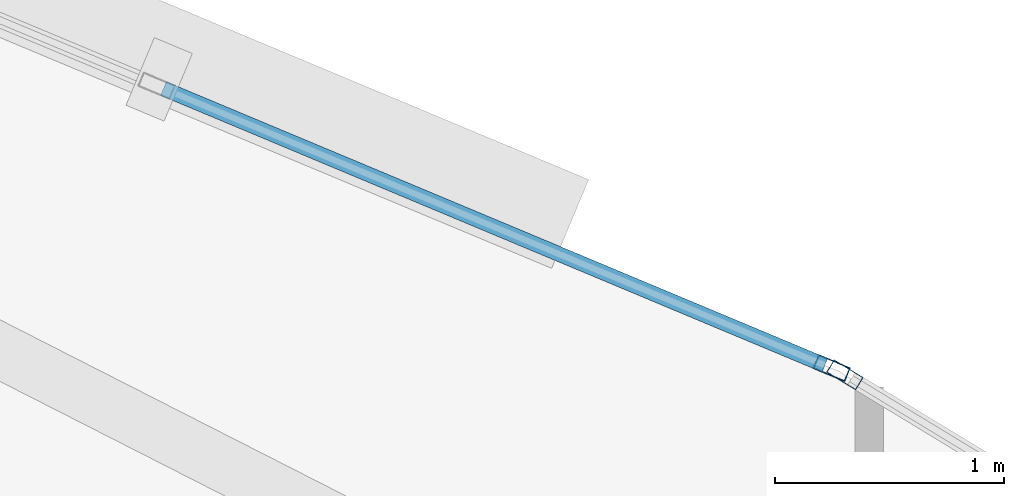
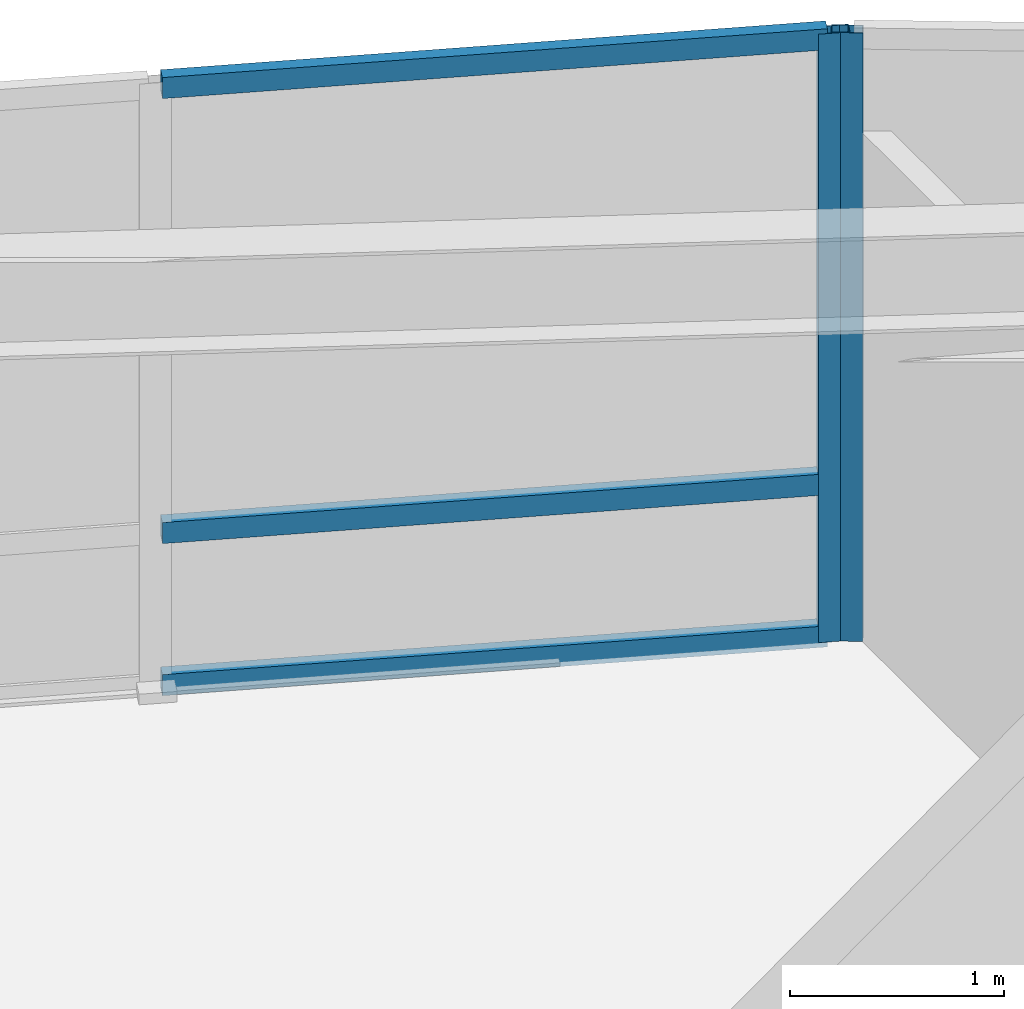
# One storey, part 13 of 18: 5 members, 2 elements without a shape of their own.
"""IFC4 building model written with IfcOpenShell, lengths in metres."""

from ifc_helpers import new_model, si_unit, direction, frame, origin, origin_2d, place, context, subcontext, project, spatial, hollow_rectangle, extrude, material, layer, layer_set, material_profile, profile_set, type_object, element, aggregate, save


model = new_model("IFC4")

# Units and contexts
model_context = context("Model", 3, precision=1e-05, world=origin(), true_north=direction((0.0, 1.0)))
body_context = subcontext(model_context, "Body", "Model", "MODEL_VIEW")
ifc_project = project(units=[si_unit("LENGTHUNIT", "METRE"), si_unit("AREAUNIT", "SQUARE_METRE"), si_unit("VOLUMEUNIT", "CUBIC_METRE"), si_unit("PLANEANGLEUNIT", "RADIAN"), si_unit("MASSUNIT", "GRAM", prefix="KILO")], contexts=[model_context])

# Site, building, storey
site_placement = place(None, origin())
site = spatial("IfcSite", under=ifc_project, at=site_placement, CompositionType="ELEMENT")
building_placement = place(site_placement, origin())
building = spatial("IfcBuilding", under=site, at=building_placement, Name="Menara Vayukalpa", CompositionType="ELEMENT")
storey_placement = place(building_placement, frame((0.0, 0.0, 130.02001953125)))
storey = spatial("IfcBuildingStorey", under=building, at=storey_placement, Name="L32", CompositionType="ELEMENT", Elevation=130.02001953125)

# Curtain wall, member
ifc_material_1 = material(Name="Anodised Terracotta Aluminium Alloy 6063-T6", Category="masonry")
ifc_layer = layer(ifc_material_1, 0.14990234375)
ifc_layer_set = layer_set([ifc_layer], Name="Anodised Terracotta Aluminium Alloy 6063-T6")
curtain_wall_type = type_object("IfcCurtainWallType", Name="CW-CW3", PredefinedType="USERDEFINED", material=ifc_layer_set)
curtain_wall_1_placement = place(storey_placement, origin())
curtain_wall_1 = element("IfcCurtainWall", 1, at=curtain_wall_1_placement, inside=storey, type_object=curtain_wall_type, Name="L32 Mid Rise Terracotta Ribbon Curtain Wall CW3 04", ObjectType="UNITISED", PredefinedType="USERDEFINED")
ifc_material_2 = material(Name="Anodised Terracotta Aluminium Alloy 6063-T6", Category="masonry")
ifc_material_profile_1 = material_profile(ifc_material_2, hollow_rectangle(XDim=0.06494140625, YDim=0.14990234375, WallThickness=0.00341796875, at=origin_2d()), Name="ALU 65x150x3.5")
ifc_profile_set_1 = profile_set([ifc_material_profile_1], Name="Anodised Terracotta Aluminium Alloy 6063-T6")
member_type_1 = type_object("IfcMemberType", Name="CWM-CW3", PredefinedType="MULLION", material=ifc_profile_set_1)
member_1_placement = place(storey_placement, frame((29.8935546875, 31.938232421875, 0.0), z_axis=(0.0, 0.0, 1.0), x_axis=(-0.519182959112, -0.854663123674, 0.0)))
member_1 = element("IfcMember", 2, at=member_1_placement, type_object=member_type_1, Name="CW3 mullion 3", PredefinedType="MULLION", context=body_context, shape_type="SweptSolid", body=[
    extrude(hollow_rectangle(XDim=0.06494140625, YDim=0.14990234375, WallThickness=0.00341796875, at=origin_2d()), origin(), (0.0, 0.0, 1.0), 3.469970703125),
])
aggregate(curtain_wall_1, [member_1])

# Curtain wall, members
curtain_wall_2_placement = place(storey_placement, origin())
curtain_wall_2 = element("IfcCurtainWall", 3, at=curtain_wall_2_placement, inside=storey, type_object=curtain_wall_type, Name="L32 Mid Rise Terracotta Ribbon Curtain Wall CW3 05", ObjectType="UNITISED", PredefinedType="USERDEFINED")
member_2_placement = place(storey_placement, frame((29.8359375, 31.9677734375, 0.0), z_axis=(0.0, 0.0, 1.0), x_axis=(-0.38589358437, -0.922543300632, 0.0)))
member_2 = element("IfcMember", 4, at=member_2_placement, type_object=member_type_1, Name="CW3 mullion 1", PredefinedType="MULLION", context=body_context, shape_type="SweptSolid", body=[
    extrude(hollow_rectangle(XDim=0.06494140625, YDim=0.14990234375, WallThickness=0.00341796875, at=origin_2d()), origin(), (0.0, 0.0, 1.0), 3.469970703125),
])
ifc_material_3 = material(Name="Anodised Terracotta Aluminium Alloy 6063-T6", Category="masonry")
ifc_material_profile_2 = material_profile(ifc_material_3, hollow_rectangle(XDim=0.06494140625, YDim=0.1201171875, WallThickness=0.00341796875, at=origin_2d()), Name="ALU 65x120x3.5")
ifc_profile_set_2 = profile_set([ifc_material_profile_2], Name="Anodised Terracotta Aluminium Alloy 6063-T6")
member_type_2 = type_object("IfcMemberType", Name="CWT-CW3", PredefinedType="USERDEFINED", material=ifc_profile_set_2)
member_3_placement = place(storey_placement, frame((29.805908203125, 31.980224609375, 0.032470703125), z_axis=(-0.922517812792, 0.385954511673, 0.0), x_axis=(-0.385954511673, -0.922517812792, 0.0)))
member_3 = element("IfcMember", 5, at=member_3_placement, type_object=member_type_2, Name="CW3 transom 1.1", ObjectType="TRANSOM", PredefinedType="USERDEFINED", context=body_context, shape_type="SweptSolid", body=[
    extrude(hollow_rectangle(XDim=0.06494140625, YDim=0.1201171875, WallThickness=0.00341796875, at=origin_2d()), origin(), (0.0, 0.0, 1.0), 3.1318359375),
])
member_4_placement = place(storey_placement, frame((29.805908203125, 31.980224609375, 0.89990234375), z_axis=(-0.922517812792, 0.385954511673, 0.0), x_axis=(-0.385954511673, -0.922517812792, 0.0)))
member_4 = element("IfcMember", 6, at=member_4_placement, type_object=member_type_2, Name="CW3 transom 1.2", ObjectType="TRANSOM", PredefinedType="USERDEFINED", context=body_context, shape_type="SweptSolid", body=[
    extrude(hollow_rectangle(XDim=0.06494140625, YDim=0.1201171875, WallThickness=0.00341796875, at=origin_2d()), origin(), (0.0, 0.0, 1.0), 3.1318359375),
])
member_5_placement = place(storey_placement, frame((29.805908203125, 31.980224609375, 3.4375), z_axis=(-0.922517812792, 0.385954511673, 0.0), x_axis=(-0.385954511673, -0.922517812792, 0.0)))
member_5 = element("IfcMember", 7, at=member_5_placement, type_object=member_type_2, Name="CW3 transom 1.3", ObjectType="TRANSOM", PredefinedType="USERDEFINED", context=body_context, shape_type="SweptSolid", body=[
    extrude(hollow_rectangle(XDim=0.06494140625, YDim=0.1201171875, WallThickness=0.00341796875, at=origin_2d()), origin(), (0.0, 0.0, 1.0), 3.1318359375),
])
aggregate(curtain_wall_2, [member_2, member_3, member_4, member_5])

save(model, "model.ifc")
